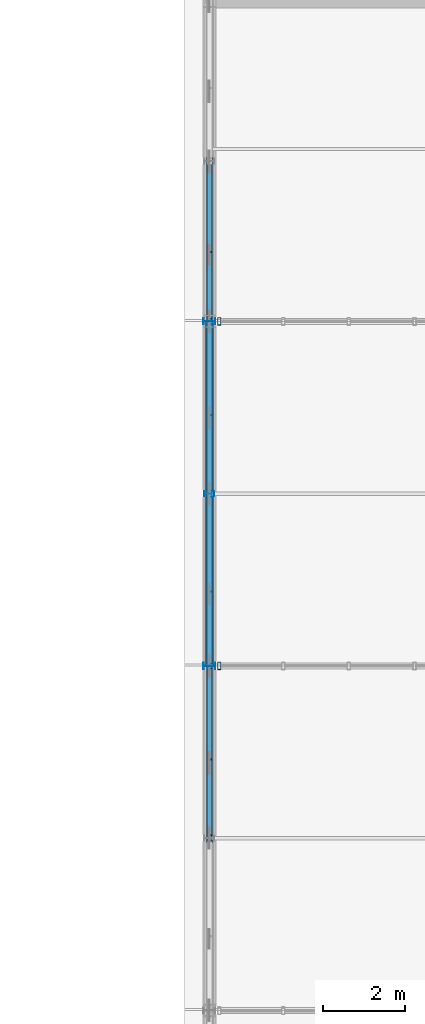
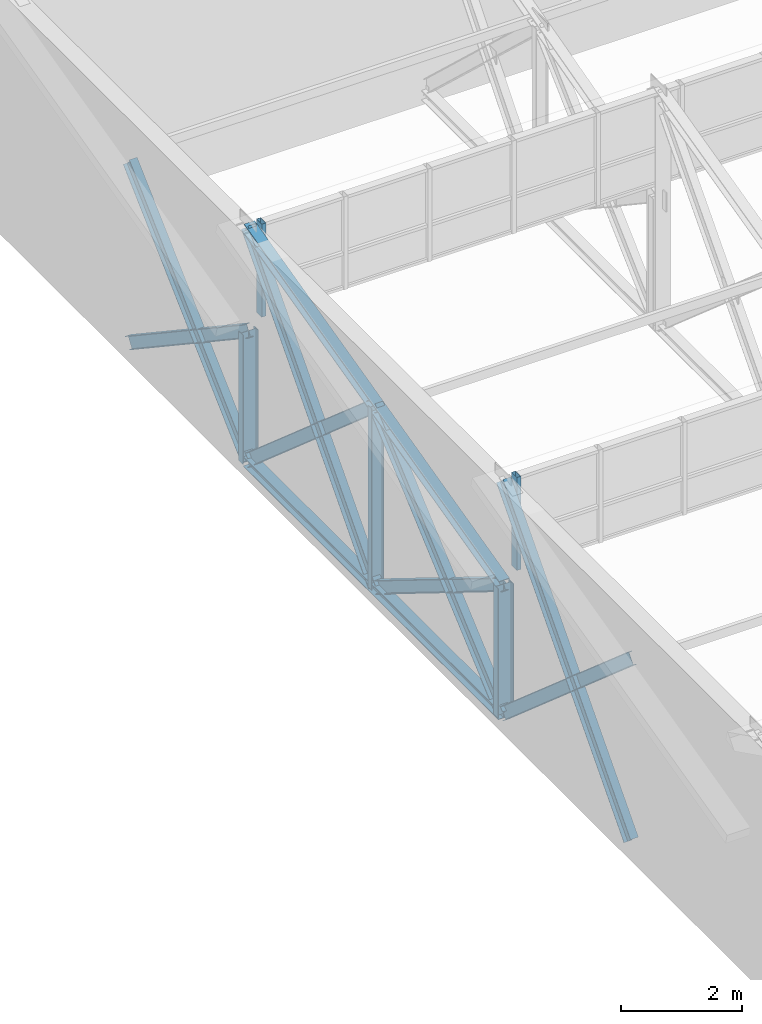
# One storey, part 70 of 123: 19 members, 2 elements without a shape of their own.
"""IFC4 building model written with IfcOpenShell, lengths in metres."""

from ifc_helpers import new_model, si_unit, direction, frame, origin, origin_2d, place, context, subcontext, project, spatial, hollow_rectangle, i_section, extrude, material, layer, layer_set, material_profile, profile_set, type_object, element, aggregate, save


model = new_model("IFC4")

# Units and contexts
model_context = context("Model", 3, precision=1e-05, world=origin(), true_north=direction((0.0, 1.0)))
body_context = subcontext(model_context, "Body", "Model", "MODEL_VIEW")
ifc_project = project(units=[si_unit("LENGTHUNIT", "METRE"), si_unit("AREAUNIT", "SQUARE_METRE"), si_unit("VOLUMEUNIT", "CUBIC_METRE"), si_unit("PLANEANGLEUNIT", "RADIAN"), si_unit("MASSUNIT", "GRAM", prefix="KILO")], contexts=[model_context])

# Site, building, storey
site_placement = place(None, origin())
site = spatial("IfcSite", under=ifc_project, at=site_placement, CompositionType="ELEMENT")
building_placement = place(site_placement, origin())
building = spatial("IfcBuilding", under=site, at=building_placement, Name="Zayran Congress Hotel", CompositionType="ELEMENT")
storey_placement = place(building_placement, frame((0.0, 0.0, 15.0)))
storey = spatial("IfcBuildingStorey", under=building, at=storey_placement, Name="L03", CompositionType="ELEMENT", Elevation=15.0)

# Members
ifc_material_1 = material(Name="Steel S355", Category="steel")
ifc_material_profile_1 = material_profile(ifc_material_1, i_section(OverallWidth=0.199951171875, OverallDepth=0.199951171875, WebThickness=0.009033203125, FlangeThickness=0.014892578125, at=origin_2d()), Name="HEB 200")
ifc_profile_set_1 = profile_set([ifc_material_profile_1], Name="Steel S355")
member_type_1 = type_object("IfcMemberType", Name="TP-TR-CH2", PredefinedType="CHORD", material=ifc_profile_set_1)
member_1_placement = place(storey_placement, frame((151.800048828125, 25.60009765625, 0.0), z_axis=(0.0, 1.0, 0.0), x_axis=(-1.0, 0.0, 0.0)))
element("IfcMember", 1, at=member_1_placement, inside=storey, type_object=member_type_1, Name="Sawtooth Truss Bottom Chord 678", PredefinedType="CHORD", context=body_context, shape_type="SweptSolid", body=[
    extrude(i_section(OverallWidth=0.199951171875, OverallDepth=0.199951171875, WebThickness=0.009033203125, FlangeThickness=0.014892578125, at=origin_2d()), origin(), (0.0, 0.0, 1.0), 8.39990234375),
])
member_2_placement = place(storey_placement, frame((151.800048828125, 25.60009765625, 2.60009765625), z_axis=(0.0, 0.970298236919, 0.241911825737), x_axis=(-1.0, 0.0, 0.0)))
element("IfcMember", 2, at=member_2_placement, inside=storey, type_object=member_type_1, Name="Sawtooth Truss Top Chord 679", PredefinedType="CHORD", context=body_context, shape_type="SweptSolid", body=[
    extrude(i_section(OverallWidth=0.199951171875, OverallDepth=0.199951171875, WebThickness=0.009033203125, FlangeThickness=0.014892578125, at=origin_2d()), origin(), (0.0, 0.0, 1.0), 8.656982421875),
])
ifc_material_profile_2 = material_profile(ifc_material_1, i_section(OverallWidth=0.14990234375, OverallDepth=0.300048828125, WebThickness=0.007080078125, FlangeThickness=0.0107421875, at=origin_2d()), Name="IPE 300")
ifc_profile_set_2 = profile_set([ifc_material_profile_2], Name="Steel S355")
member_type_2 = type_object("IfcMemberType", Name="TP-TR-BR1", PredefinedType="BRACE", material=ifc_profile_set_2)
member_3_placement = place(storey_placement, frame((151.800048828125, 21.39990234375, 0.0), z_axis=(0.0, 0.66679485947, 0.745241313525), x_axis=(-1.0, 0.0, 0.0)))
element("IfcMember", 3, at=member_3_placement, inside=storey, type_object=member_type_2, Name="Sawtooth Truss Diagonal Bay2 118", PredefinedType="BRACE", context=body_context, shape_type="SweptSolid", body=[
    extrude(i_section(OverallWidth=0.14990234375, OverallDepth=0.300048828125, WebThickness=0.007080078125, FlangeThickness=0.0107421875, at=origin_2d()), origin(), (0.0, 0.0, 1.0), 6.299072265625),
])
member_4_placement = place(storey_placement, frame((151.800048828125, 25.60009765625, 0.0), z_axis=(0.0, 0.755042838954, 0.655675461904), x_axis=(-1.0, 0.0, 0.0)))
element("IfcMember", 4, at=member_4_placement, inside=storey, type_object=member_type_2, Name="Sawtooth Truss Diagonal 680", PredefinedType="BRACE", context=body_context, shape_type="SweptSolid", body=[
    extrude(i_section(OverallWidth=0.14990234375, OverallDepth=0.300048828125, WebThickness=0.007080078125, FlangeThickness=0.0107421875, at=origin_2d()), origin(), (0.0, 0.0, 1.0), 5.5625),
])
member_5_placement = place(storey_placement, frame((151.800048828125, 29.800048828125, 0.0), z_axis=(0.0, 0.666773332967, 0.745260573521), x_axis=(-1.0, 0.0, 0.0)))
element("IfcMember", 5, at=member_5_placement, inside=storey, type_object=member_type_2, Name="Sawtooth Truss Diagonal Bay2 122", PredefinedType="BRACE", context=body_context, shape_type="SweptSolid", body=[
    extrude(i_section(OverallWidth=0.14990234375, OverallDepth=0.300048828125, WebThickness=0.007080078125, FlangeThickness=0.0107421875, at=origin_2d()), origin(), (0.0, 0.0, 1.0), 6.298828125),
])
member_6_placement = place(storey_placement, frame((151.800048828125, 25.60009765625, 0.0), z_axis=(0.0, 0.0, 1.0), x_axis=(0.0, 1.0, 0.0)))
element("IfcMember", 6, at=member_6_placement, inside=storey, type_object=member_type_2, Name="TRV-01 Sawtooth Truss Strut", PredefinedType="BRACE", context=body_context, shape_type="SweptSolid", body=[
    extrude(i_section(OverallWidth=0.14990234375, OverallDepth=0.300048828125, WebThickness=0.007080078125, FlangeThickness=0.0107421875, at=origin_2d()), origin(), (0.0, 0.0, 1.0), 2.60009765625),
])
member_7_placement = place(storey_placement, frame((151.800048828125, 34.0, 0.0), z_axis=(0.0, 0.730372213416, 0.683049361225), x_axis=(-1.0, 0.0, 0.0)))
element("IfcMember", 7, at=member_7_placement, inside=storey, type_object=member_type_2, Name="Sawtooth Truss Diagonal 684", PredefinedType="BRACE", context=body_context, shape_type="SweptSolid", body=[
    extrude(i_section(OverallWidth=0.14990234375, OverallDepth=0.300048828125, WebThickness=0.007080078125, FlangeThickness=0.0107421875, at=origin_2d()), origin(), (0.0, 0.0, 1.0), 5.339599609375),
])
member_8_placement = place(storey_placement, frame((151.800048828125, 34.0, 0.0), z_axis=(0.0, 0.0, 1.0), x_axis=(0.0, 1.0, 0.0)))
element("IfcMember", 8, at=member_8_placement, inside=storey, type_object=member_type_2, Name="TRV-01 Sawtooth Truss Strut", PredefinedType="BRACE", context=body_context, shape_type="SweptSolid", body=[
    extrude(i_section(OverallWidth=0.14990234375, OverallDepth=0.300048828125, WebThickness=0.007080078125, FlangeThickness=0.0107421875, at=origin_2d()), origin(), (0.0, 0.0, 1.0), 2.60009765625),
])
ifc_material_profile_3 = material_profile(ifc_material_1, i_section(OverallWidth=0.1201171875, OverallDepth=0.239990234375, WebThickness=0.006103515625, FlangeThickness=0.009765625, at=origin_2d()), Name="IPE 240")
ifc_profile_set_3 = profile_set([ifc_material_profile_3], Name="Steel S355")
member_type_3 = type_object("IfcMemberType", Name="TP-TR-BR2", PredefinedType="BRACE", material=ifc_profile_set_3)
member_9_placement = place(storey_placement, frame((151.800048828125, 21.39990234375, 3.647216796875), z_axis=(0.0, 0.755098908139, -0.655610889878), x_axis=(-1.0, 0.0, 0.0)))
element("IfcMember", 9, at=member_9_placement, inside=storey, type_object=member_type_3, Name="Sawtooth Truss Counter Diagonal Bay2 Upper 119", PredefinedType="BRACE", context=body_context, shape_type="SweptSolid", body=[
    extrude(i_section(OverallWidth=0.1201171875, OverallDepth=0.239990234375, WebThickness=0.006103515625, FlangeThickness=0.009765625, at=origin_2d()), origin(), (0.0, 0.0, 1.0), 2.417236328125),
])
member_10_placement = place(storey_placement, frame((151.800048828125, 23.247802734375, 2.042724609375), z_axis=(0.0, 0.755042306738, -0.655676074777), x_axis=(-1.0, 0.0, 0.0)))
element("IfcMember", 10, at=member_10_placement, inside=storey, type_object=member_type_3, Name="Sawtooth Truss Counter Diagonal Bay2 Lower 120", PredefinedType="BRACE", context=body_context, shape_type="SweptSolid", body=[
    extrude(i_section(OverallWidth=0.1201171875, OverallDepth=0.239990234375, WebThickness=0.006103515625, FlangeThickness=0.009765625, at=origin_2d()), origin(), (0.0, 0.0, 1.0), 3.115478515625),
])
member_11_placement = place(storey_placement, frame((151.800048828125, 25.60009765625, 2.60009765625), z_axis=(0.0, 0.850242199596, -0.526391681191), x_axis=(-1.0, 0.0, 0.0)))
element("IfcMember", 11, at=member_11_placement, inside=storey, type_object=member_type_3, Name="Sawtooth Truss Counter Diagonal Upper 681", PredefinedType="BRACE", context=body_context, shape_type="SweptSolid", body=[
    extrude(i_section(OverallWidth=0.1201171875, OverallDepth=0.239990234375, WebThickness=0.006103515625, FlangeThickness=0.009765625, at=origin_2d()), origin(), (0.0, 0.0, 1.0), 2.040771484375),
])
member_12_placement = place(storey_placement, frame((151.800048828125, 27.360595703125, 1.510009765625), z_axis=(0.0, 0.850285094949, -0.526322389137), x_axis=(-1.0, 0.0, 0.0)))
element("IfcMember", 12, at=member_12_placement, inside=storey, type_object=member_type_3, Name="Sawtooth Truss Counter Diagonal Lower 121", PredefinedType="BRACE", context=body_context, shape_type="SweptSolid", body=[
    extrude(i_section(OverallWidth=0.1201171875, OverallDepth=0.239990234375, WebThickness=0.006103515625, FlangeThickness=0.009765625, at=origin_2d()), origin(), (0.0, 0.0, 1.0), 2.868896484375),
])
member_13_placement = place(storey_placement, frame((151.800048828125, 29.800048828125, 3.647216796875), z_axis=(0.0, 0.755055489466, -0.655660893929), x_axis=(-1.0, 0.0, 0.0)))
element("IfcMember", 13, at=member_13_placement, inside=storey, type_object=member_type_3, Name="Sawtooth Truss Counter Diagonal Bay2 Upper 123", PredefinedType="BRACE", context=body_context, shape_type="SweptSolid", body=[
    extrude(i_section(OverallWidth=0.1201171875, OverallDepth=0.239990234375, WebThickness=0.006103515625, FlangeThickness=0.009765625, at=origin_2d()), origin(), (0.0, 0.0, 1.0), 2.4169921875),
])
member_14_placement = place(storey_placement, frame((151.800048828125, 31.647705078125, 2.042724609375), z_axis=(0.0, 0.755042306738, -0.655676074777), x_axis=(-1.0, 0.0, 0.0)))
element("IfcMember", 14, at=member_14_placement, inside=storey, type_object=member_type_3, Name="Sawtooth Truss Counter Diagonal Bay2 Lower 124", PredefinedType="BRACE", context=body_context, shape_type="SweptSolid", body=[
    extrude(i_section(OverallWidth=0.1201171875, OverallDepth=0.239990234375, WebThickness=0.006103515625, FlangeThickness=0.009765625, at=origin_2d()), origin(), (0.0, 0.0, 1.0), 3.115478515625),
])
member_15_placement = place(storey_placement, frame((151.800048828125, 29.800048828125, 0.0), z_axis=(0.0, 0.0, 1.0), x_axis=(0.0, 1.0, 0.0)))
element("IfcMember", 15, at=member_15_placement, inside=storey, type_object=member_type_3, Name="TRV-01 Sawtooth Truss Strut", PredefinedType="BRACE", context=body_context, shape_type="SweptSolid", body=[
    extrude(i_section(OverallWidth=0.1201171875, OverallDepth=0.239990234375, WebThickness=0.006103515625, FlangeThickness=0.009765625, at=origin_2d()), origin(), (0.0, 0.0, 1.0), 3.647216796875),
])
member_16_placement = place(storey_placement, frame((151.800048828125, 34.0, 2.60009765625), z_axis=(0.0, 0.831992082034, -0.554787504755), x_axis=(-1.0, 0.0, 0.0)))
element("IfcMember", 16, at=member_16_placement, inside=storey, type_object=member_type_3, Name="Sawtooth Truss Counter Diagonal Upper 685", PredefinedType="BRACE", context=body_context, shape_type="SweptSolid", body=[
    extrude(i_section(OverallWidth=0.1201171875, OverallDepth=0.239990234375, WebThickness=0.006103515625, FlangeThickness=0.009765625, at=origin_2d()), origin(), (0.0, 0.0, 1.0), 1.935791015625),
])
member_17_placement = place(storey_placement, frame((151.800048828125, 35.635498046875, 1.509521484375), z_axis=(0.0, 0.832064095683, -0.55467949365), x_axis=(-1.0, 0.0, 0.0)))
element("IfcMember", 17, at=member_17_placement, inside=storey, type_object=member_type_3, Name="Sawtooth Truss Counter Diagonal Lower 125", PredefinedType="BRACE", context=body_context, shape_type="SweptSolid", body=[
    extrude(i_section(OverallWidth=0.1201171875, OverallDepth=0.239990234375, WebThickness=0.006103515625, FlangeThickness=0.009765625, at=origin_2d()), origin(), (0.0, 0.0, 1.0), 2.721435546875),
])

# Curtain wall, member
ifc_material_2 = material(Name="Anodised aluminium and low-E insulated glass", Category="aluminium")
ifc_layer = layer(ifc_material_2, 0.179931640625)
ifc_layer_set = layer_set([ifc_layer], Name="Anodised aluminium and low-E insulated glass")
curtain_wall_type = type_object("IfcCurtainWallType", Name="CW-V3SAW-L03-CW-V31-32000-1870", PredefinedType="USERDEFINED", material=ifc_layer_set)
curtain_wall_1_placement = place(storey_placement, origin())
curtain_wall_1 = element("IfcCurtainWall", 18, at=curtain_wall_1_placement, inside=storey, type_object=curtain_wall_type, Name="CW-V3SAW-2", ObjectType="CURTAIN WALL", PredefinedType="USERDEFINED")
ifc_material_3 = material(Name="Anodised aluminium framing", Category="aluminium")
ifc_material_profile_4 = material_profile(ifc_material_3, hollow_rectangle(XDim=0.080078125, YDim=0.179931640625, WallThickness=0.0048828125, at=origin_2d()), Name="RHS 180x80x5")
ifc_profile_set_4 = profile_set([ifc_material_profile_4], Name="Anodised aluminium framing")
member_type_4 = type_object("IfcMemberType", Name="TP-CWM-01", PredefinedType="MULLION", material=ifc_profile_set_4)
member_18_placement = place(storey_placement, frame((152.0400390625, 25.60009765625, 2.85009765625), z_axis=(0.0, 0.0, 1.0), x_axis=(1.0, 0.0, 0.0)))
member_18 = element("IfcMember", 19, at=member_18_placement, type_object=member_type_4, Name="CW-V3SAW-2-M20", PredefinedType="MULLION", context=body_context, shape_type="SweptSolid", body=[
    extrude(hollow_rectangle(XDim=0.080078125, YDim=0.179931640625, WallThickness=0.0048828125, at=origin_2d()), origin(), (0.0, 0.0, 1.0), 1.869873046875),
])
aggregate(curtain_wall_1, [member_18])

curtain_wall_2_placement = place(storey_placement, origin())
curtain_wall_2 = element("IfcCurtainWall", 20, at=curtain_wall_2_placement, inside=storey, type_object=curtain_wall_type, Name="CW-V3SAW-3", ObjectType="CURTAIN WALL", PredefinedType="USERDEFINED")
member_19_placement = place(storey_placement, frame((152.0400390625, 34.0, 2.85009765625), z_axis=(0.0, 0.0, 1.0), x_axis=(1.0, 0.0, 0.0)))
member_19 = element("IfcMember", 21, at=member_19_placement, type_object=member_type_4, Name="CW-V3SAW-3-M20", PredefinedType="MULLION", context=body_context, shape_type="SweptSolid", body=[
    extrude(hollow_rectangle(XDim=0.080078125, YDim=0.179931640625, WallThickness=0.0048828125, at=origin_2d()), origin(), (0.0, 0.0, 1.0), 1.869873046875),
])
aggregate(curtain_wall_2, [member_19])

save(model, "model.ifc")
